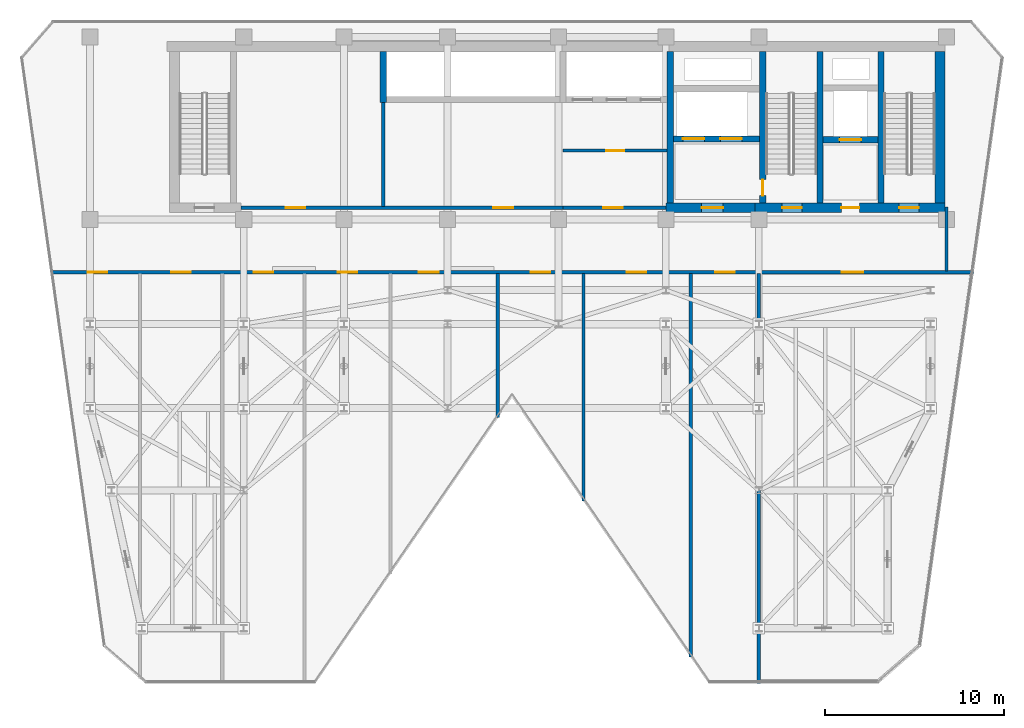
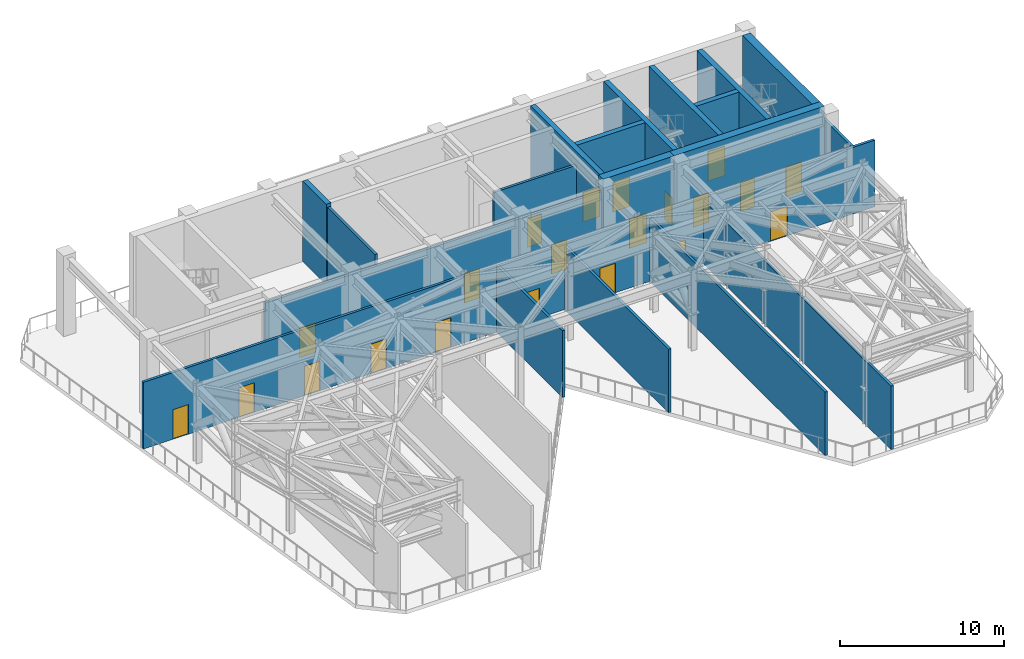
# One storey, part 4 of 12: 21 doors, 20 walls, 21 openings.
"""IFC4 building model written with IfcOpenShell, lengths in metres."""

from ifc_helpers import new_model, si_unit, direction, frame, frame_2d, origin, place, context, subcontext, project, spatial, rectangle, extrude, material, layer, layer_set, type_object, element, fill, save


model = new_model("IFC4")

# Units and contexts
model_context = context("Model", 3, precision=1e-05, world=origin(), true_north=direction((0.0, 1.0)))
body_context = subcontext(model_context, "Body", "Model", "MODEL_VIEW")
ifc_project = project(units=[si_unit("LENGTHUNIT", "METRE"), si_unit("AREAUNIT", "SQUARE_METRE"), si_unit("VOLUMEUNIT", "CUBIC_METRE"), si_unit("PLANEANGLEUNIT", "RADIAN"), si_unit("MASSUNIT", "GRAM", prefix="KILO")], contexts=[model_context])

# Site, building, storey
site_placement = place(None, origin())
site = spatial("IfcSite", under=ifc_project, at=site_placement, CompositionType="ELEMENT")
building_placement = place(site_placement, origin())
building = spatial("IfcBuilding", under=site, at=building_placement, Name="Kravanh Interchange Tower", CompositionType="ELEMENT")
storey_placement = place(building_placement, frame((0.0, 0.0, 225.0)))
storey = spatial("IfcBuildingStorey", under=building, at=storey_placement, Name="L54", CompositionType="ELEMENT", Elevation=225.0)

# Walls
ifc_material_1 = material(Name="Concrete C60/75", Category="concrete")
ifc_layer_1 = layer(ifc_material_1, 0.35009765625)
ifc_layer_set_1 = layer_set([ifc_layer_1], Name="Core Shear Wall Concrete C60/75 350mm")
wall_type_1 = type_object("IfcWallType", Name="Core Shear Wall Concrete C60/75 350mm", PredefinedType="SHEAR", material=ifc_layer_set_1)
for number, where, z_axis, x_axis, name in (
    (1, (62.824951171875, 38.27490234375, 0.0), (0.0, 0.0, 1.0), (0.0, 1.0, 0.0), "L54 Stair ST1 West Shear Wall"),
    (2, (59.425048828125, 38.27490234375, 0.0), (0.0, 0.0, 1.0), (0.0, 1.0, 0.0), "L54 Stair ST2 East Shear Wall"),
):
    element("IfcWall", number, at=place(storey_placement, frame(where, z_axis=z_axis, x_axis=x_axis)), inside=storey, type_object=wall_type_1, Name=name, PredefinedType="SHEAR", context=body_context, shape_type="SweptSolid", body=[
        extrude(rectangle(XDim=8.47509765625, YDim=0.35009765625, at=frame_2d((4.237548828125, 0.0))), origin(), (0.0, 0.0, 1.0), 6.0),
    ])

# Wall, opening, door
wall_1_placement = place(storey_placement, frame((56.22509765625, 38.27490234375, 0.0), z_axis=(0.0, 0.0, 1.0), x_axis=(0.0, 1.0, 0.0)))
wall_1 = element("IfcWall", 3, at=wall_1_placement, inside=storey, type_object=wall_type_1, Name="L54 Stair ST2 West Shear Wall", PredefinedType="SHEAR", context=body_context, shape_type="SweptSolid", body=[
    extrude(rectangle(XDim=8.47509765625, YDim=0.35009765625, at=frame_2d((4.237548828125, 0.0))), origin(), (0.0, 0.0, 1.0), 6.0),
])
opening_1_placement = place(wall_1_placement, frame((0.405029296875, 0.0, 0.0)))
opening_1 = element("IfcOpeningElement", 4, at=opening_1_placement, cuts=wall_1, Name="Opening D-STAIR-90", PredefinedType="OPENING", context=body_context, shape_type="SweptSolid", body=[
    extrude(rectangle(XDim=0.89990234375, YDim=2.14990234375, at=frame_2d((0.449951171875, 1.074951171875))), frame((0.0, 0.18505859375, 0.0), z_axis=(0.0, -1.0, 0.0), x_axis=(1.0, 0.0, 0.0)), (0.0, 0.0, 1.0), 0.3701171875),
])
ifc_material_2 = material(Name="Structural Steel S355", Category="steel")
door_type_1 = type_object("IfcDoorType", Name="Fire-Rated Stair Lobby Door 900x2150", OperationType="NOTDEFINED", PredefinedType="DOOR", material=ifc_material_2)
door_1_placement = place(opening_1_placement, origin())
door_1 = element("IfcDoor", 5, at=door_1_placement, inside=storey, type_object=door_type_1, Name="L54 Firefighting Lobby to Stair ST2 Door", OperationType="SINGLE_SWING_LEFT", OverallHeight=2.14990234375, OverallWidth=0.89990234375, PredefinedType="DOOR", context=body_context, shape_type="SweptSolid", body=[
    extrude(rectangle(XDim=0.89990234375, YDim=2.14990234375, at=frame_2d((0.449951171875, 1.074951171875))), frame((0.0, 0.02490234375, 0.0), z_axis=(0.0, -1.0, 0.0), x_axis=(1.0, 0.0, 0.0)), (0.0, 0.0, 1.0), 0.050048828125),
])
fill(opening_1, door_1)

wall_2_placement = place(storey_placement, frame((59.60009765625, 41.800048828125, 0.0), z_axis=(0.0, 0.0, 1.0), x_axis=(1.0, 0.0, 0.0)))
wall_2 = element("IfcWall", 6, at=wall_2_placement, inside=storey, type_object=wall_type_1, Name="L54 Service Lift Shaft South Wall", PredefinedType="SHEAR", context=body_context, shape_type="SweptSolid", body=[
    extrude(rectangle(XDim=3.0498046875, YDim=0.35009765625, at=frame_2d((1.52490234375, 0.0))), origin(), (0.0, 0.0, 1.0), 6.0),
])
opening_2_placement = place(wall_2_placement, frame((0.919921875, 0.0, 0.0)))
opening_2 = element("IfcOpeningElement", 7, at=opening_2_placement, cuts=wall_2, Name="Opening LD02", PredefinedType="OPENING", context=body_context, shape_type="SweptSolid", body=[
    extrude(rectangle(XDim=1.199951171875, YDim=2.199951171875, at=frame_2d((0.60009765625, 1.10009765625))), frame((0.0, 0.18505859375, 0.0), z_axis=(0.0, -1.0, 0.0), x_axis=(1.0, 0.0, 0.0)), (0.0, 0.0, 1.0), 0.3701171875),
])
ifc_material_3 = material(Name="Stainless Steel 316", Category="steel")
door_type_2 = type_object("IfcDoorType", Name="Fire and Service Lift Sliding Landing Door 1200x2200", OperationType="DOUBLE_DOOR_SLIDING", PredefinedType="DOOR", material=ifc_material_3)
door_2_placement = place(opening_2_placement, origin())
door_2 = element("IfcDoor", 8, at=door_2_placement, inside=storey, type_object=door_type_2, Name="L54 Lift LS-01 Landing Door", OperationType="DOUBLE_DOOR_SLIDING", OverallHeight=2.199951171875, OverallWidth=1.199951171875, PredefinedType="DOOR", context=body_context, shape_type="SweptSolid", body=[
    extrude(rectangle(XDim=1.199951171875, YDim=2.199951171875, at=frame_2d((0.60009765625, 1.10009765625))), frame((0.0, 0.02490234375, 0.0), z_axis=(0.0, -1.0, 0.0), x_axis=(1.0, 0.0, 0.0)), (0.0, 0.0, 1.0), 0.050048828125),
])
fill(opening_2, door_2)

# Wall, openings, doors
wall_3_placement = place(storey_placement, frame((51.22509765625, 41.85009765625, 0.0), z_axis=(0.0, 0.0, 1.0), x_axis=(1.0, 0.0, 0.0)))
wall_3 = element("IfcWall", 9, at=wall_3_placement, inside=storey, type_object=wall_type_1, Name="L54 Fire Lift Shaft South Wall", PredefinedType="SHEAR", context=body_context, shape_type="SweptSolid", body=[
    extrude(rectangle(XDim=4.824951171875, YDim=0.35009765625, at=frame_2d((2.41259765625, 0.0))), origin(), (0.0, 0.0, 1.0), 6.0),
])
opening_3_placement = place(wall_3_placement, frame((0.52490234375, 0.0, 0.0)))
opening_3 = element("IfcOpeningElement", 10, at=opening_3_placement, cuts=wall_3, Name="Opening LD02", PredefinedType="OPENING", context=body_context, shape_type="SweptSolid", body=[
    extrude(rectangle(XDim=1.199951171875, YDim=2.199951171875, at=frame_2d((0.60009765625, 1.10009765625))), frame((0.0, 0.18505859375, 0.0), z_axis=(0.0, -1.0, 0.0), x_axis=(1.0, 0.0, 0.0)), (0.0, 0.0, 1.0), 0.3701171875),
])
opening_4_placement = place(wall_3_placement, frame((2.625, 0.0, 0.0)))
opening_4 = element("IfcOpeningElement", 11, at=opening_4_placement, cuts=wall_3, Name="Opening LD02", PredefinedType="OPENING", context=body_context, shape_type="SweptSolid", body=[
    extrude(rectangle(XDim=1.199951171875, YDim=2.199951171875, at=frame_2d((0.60009765625, 1.10009765625))), frame((0.0, 0.18505859375, 0.0), z_axis=(0.0, -1.0, 0.0), x_axis=(1.0, 0.0, 0.0)), (0.0, 0.0, 1.0), 0.3701171875),
])
door_3_placement = place(opening_3_placement, origin())
door_3 = element("IfcDoor", 12, at=door_3_placement, inside=storey, type_object=door_type_2, Name="L54 Lift FSAE-01 Landing Door", OperationType="DOUBLE_DOOR_SLIDING", OverallHeight=2.199951171875, OverallWidth=1.199951171875, PredefinedType="DOOR", context=body_context, shape_type="SweptSolid", body=[
    extrude(rectangle(XDim=1.199951171875, YDim=2.199951171875, at=frame_2d((0.60009765625, 1.10009765625))), frame((0.0, 0.02490234375, 0.0), z_axis=(0.0, -1.0, 0.0), x_axis=(1.0, 0.0, 0.0)), (0.0, 0.0, 1.0), 0.050048828125),
])
fill(opening_3, door_3)
door_4_placement = place(opening_4_placement, origin())
door_4 = element("IfcDoor", 13, at=door_4_placement, inside=storey, type_object=door_type_2, Name="L54 Lift FSAE-02 Landing Door", OperationType="DOUBLE_DOOR_SLIDING", OverallHeight=2.199951171875, OverallWidth=1.199951171875, PredefinedType="DOOR", context=body_context, shape_type="SweptSolid", body=[
    extrude(rectangle(XDim=1.199951171875, YDim=2.199951171875, at=frame_2d((0.60009765625, 1.10009765625))), frame((0.0, 0.02490234375, 0.0), z_axis=(0.0, -1.0, 0.0), x_axis=(1.0, 0.0, 0.0)), (0.0, 0.0, 1.0), 0.050048828125),
])
fill(opening_4, door_4)

# Walls
wall_4_placement = place(storey_placement, frame((51.050048828125, 38.27490234375, 0.0), z_axis=(0.0, 0.0, 1.0), x_axis=(0.0, 1.0, 0.0)))
element("IfcWall", 14, at=wall_4_placement, inside=storey, type_object=wall_type_1, Name="L54 Firefighting Lobby West Wall", PredefinedType="SHEAR", context=body_context, shape_type="SweptSolid", body=[
    extrude(rectangle(XDim=8.47509765625, YDim=0.35009765625, at=frame_2d((4.237548828125, 0.0))), origin(), (0.0, 0.0, 1.0), 6.0),
])
wall_5_placement = place(storey_placement, frame((35.0, 43.875, 0.0), z_axis=(0.0, 0.0, 1.0), x_axis=(0.0, 1.0, 0.0)))
element("IfcWall", 15, at=wall_5_placement, inside=storey, type_object=wall_type_1, Name="L54 Mid-Rise Lift Shaft West Wall", PredefinedType="SHEAR", context=body_context, shape_type="SweptSolid", body=[
    extrude(rectangle(XDim=2.875, YDim=0.35009765625, at=frame_2d((1.4375, 0.0))), origin(), (0.0, 0.0, 1.0), 6.0),
])

# Wall, openings, doors
ifc_material_4 = material(Name="Concrete C70/85", Category="concrete")
ifc_layer_2 = layer(ifc_material_4, 0.550048828125)
ifc_layer_set_2 = layer_set([ifc_layer_2], Name="Core Shear Wall Concrete C70/85 550mm")
wall_type_2 = type_object("IfcWallType", Name="Core Shear Wall Concrete C70/85 550mm", PredefinedType="SHEAR", material=ifc_layer_set_2)
wall_6_placement = place(storey_placement, frame((55.800048828125, 38.0, 0.0), z_axis=(0.0, 0.0, 1.0), x_axis=(1.0, 0.0, 0.0)))
wall_6 = element("IfcWall", 16, at=wall_6_placement, inside=storey, type_object=wall_type_2, Name="L54 East Core South Shear Wall", PredefinedType="SHEAR", context=body_context, shape_type="SweptSolid", body=[
    extrude(rectangle(XDim=10.599853515625, YDim=0.550048828125, at=frame_2d((5.2998046875, 0.0))), origin(), (0.0, 0.0, 1.0), 6.0),
])
opening_5_placement = place(wall_6_placement, frame((1.5, 0.0, 0.0)))
opening_5 = element("IfcOpeningElement", 17, at=opening_5_placement, cuts=wall_6, Name="Opening D-STAIR-110", PredefinedType="OPENING", context=body_context, shape_type="SweptSolid", body=[
    extrude(rectangle(XDim=1.10009765625, YDim=2.199951171875, at=frame_2d((0.550048828125, 1.10009765625))), frame((0.0, 0.28515625, 0.0), z_axis=(0.0, -1.0, 0.0), x_axis=(1.0, 0.0, 0.0)), (0.0, 0.0, 1.0), 0.570068359375),
])
opening_6_placement = place(wall_6_placement, frame((4.820068359375, 0.0, 0.0)))
opening_6 = element("IfcOpeningElement", 18, at=opening_6_placement, cuts=wall_6, Name="Opening D-HOTEL-100", PredefinedType="OPENING", context=body_context, shape_type="SweptSolid", body=[
    extrude(rectangle(XDim=1.0, YDim=2.14990234375, at=frame_2d((0.5, 1.074951171875))), frame((0.0, 0.28515625, 0.0), z_axis=(0.0, -1.0, 0.0), x_axis=(1.0, 0.0, 0.0)), (0.0, 0.0, 1.0), 0.570068359375),
])
opening_7_placement = place(wall_6_placement, frame((8.050048828125, 0.0, 0.0)))
opening_7 = element("IfcOpeningElement", 19, at=opening_7_placement, cuts=wall_6, Name="Opening D-STAIR-110", PredefinedType="OPENING", context=body_context, shape_type="SweptSolid", body=[
    extrude(rectangle(XDim=1.10009765625, YDim=2.199951171875, at=frame_2d((0.550048828125, 1.10009765625))), frame((0.0, 0.28515625, 0.0), z_axis=(0.0, -1.0, 0.0), x_axis=(1.0, 0.0, 0.0)), (0.0, 0.0, 1.0), 0.570068359375),
])
ifc_material_5 = material(Name="Structural Steel S355", Category="steel")
door_type_3 = type_object("IfcDoorType", Name="Fire-Rated Exit Stair Door 1100x2200", OperationType="NOTDEFINED", PredefinedType="DOOR", material=ifc_material_5)
door_5_placement = place(opening_5_placement, origin())
door_5 = element("IfcDoor", 20, at=door_5_placement, inside=storey, type_object=door_type_3, Name="L54 Exit Stair ST2 Door", OperationType="SINGLE_SWING_RIGHT", OverallHeight=2.199951171875, OverallWidth=1.10009765625, PredefinedType="DOOR", context=body_context, shape_type="SweptSolid", body=[
    extrude(rectangle(XDim=1.10009765625, YDim=2.199951171875, at=frame_2d((0.550048828125, 1.10009765625))), frame((0.0, 0.02490234375, 0.0), z_axis=(0.0, -1.0, 0.0), x_axis=(1.0, 0.0, 0.0)), (0.0, 0.0, 1.0), 0.050048828125),
])
fill(opening_5, door_5)
door_6_placement = place(opening_7_placement, origin())
door_6 = element("IfcDoor", 21, at=door_6_placement, inside=storey, type_object=door_type_3, Name="L54 Exit Stair ST1 Door", OperationType="SINGLE_SWING_RIGHT", OverallHeight=2.199951171875, OverallWidth=1.10009765625, PredefinedType="DOOR", context=body_context, shape_type="SweptSolid", body=[
    extrude(rectangle(XDim=1.10009765625, YDim=2.199951171875, at=frame_2d((0.550048828125, 1.10009765625))), frame((0.0, 0.02490234375, 0.0), z_axis=(0.0, -1.0, 0.0), x_axis=(1.0, 0.0, 0.0)), (0.0, 0.0, 1.0), 0.050048828125),
])
fill(opening_7, door_6)
ifc_material_6 = material(Name="Fire-Rated Solid Timber Leaf", Category="wood")
door_type_4 = type_object("IfcDoorType", Name="Fire-Rated Suite Entrance Door 1000x2150", OperationType="NOTDEFINED", PredefinedType="DOOR", material=ifc_material_6)
door_7_placement = place(opening_6_placement, origin())
door_7 = element("IfcDoor", 22, at=door_7_placement, inside=storey, type_object=door_type_4, Name="L54 Service Lift Lobby Door", OperationType="SINGLE_SWING_RIGHT", OverallHeight=2.14990234375, OverallWidth=1.0, PredefinedType="DOOR", context=body_context, shape_type="SweptSolid", body=[
    extrude(rectangle(XDim=1.0, YDim=2.14990234375, at=frame_2d((0.5, 1.074951171875))), frame((0.0, 0.02490234375, 0.0), z_axis=(0.0, -1.0, 0.0), x_axis=(1.0, 0.0, 0.0)), (0.0, 0.0, 1.0), 0.050048828125),
])
fill(opening_6, door_7)

# Wall
wall_7_placement = place(storey_placement, frame((66.125, 38.27490234375, 0.0), z_axis=(0.0, 0.0, 1.0), x_axis=(0.0, 1.0, 0.0)))
element("IfcWall", 23, at=wall_7_placement, inside=storey, type_object=wall_type_2, Name="L54 Stair ST1 East Shear Wall", PredefinedType="SHEAR", context=body_context, shape_type="SweptSolid", body=[
    extrude(rectangle(XDim=8.47509765625, YDim=0.550048828125, at=frame_2d((4.237548828125, 0.0))), origin(), (0.0, 0.0, 1.0), 6.0),
])

# Wall, opening, door
wall_8_placement = place(storey_placement, frame((50.800048828125, 38.0, 0.0), z_axis=(0.0, 0.0, 1.0), x_axis=(1.0, 0.0, 0.0)))
wall_8 = element("IfcWall", 24, at=wall_8_placement, inside=storey, type_object=wall_type_2, Name="L54 Firefighting Lobby South Shear Wall", PredefinedType="SHEAR", context=body_context, shape_type="SweptSolid", body=[
    extrude(rectangle(XDim=5.0, YDim=0.550048828125, at=frame_2d((2.5, 0.0))), origin(), (0.0, 0.0, 1.0), 6.0),
])
opening_8_placement = place(wall_8_placement, frame((2.0, 0.0, 0.0)))
opening_8 = element("IfcOpeningElement", 25, at=opening_8_placement, cuts=wall_8, Name="Opening D-FSAE-120", PredefinedType="OPENING", context=body_context, shape_type="SweptSolid", body=[
    extrude(rectangle(XDim=1.199951171875, YDim=2.199951171875, at=frame_2d((0.60009765625, 1.10009765625))), frame((0.0, 0.28515625, 0.0), z_axis=(0.0, -1.0, 0.0), x_axis=(1.0, 0.0, 0.0)), (0.0, 0.0, 1.0), 0.570068359375),
])
ifc_material_7 = material(Name="Structural Steel S355", Category="steel")
door_type_5 = type_object("IfcDoorType", Name="Fire-Rated Refuge and FSAE Door 1200x2200", OperationType="NOTDEFINED", PredefinedType="DOOR", material=ifc_material_7)
door_8_placement = place(opening_8_placement, origin())
door_8 = element("IfcDoor", 26, at=door_8_placement, inside=storey, type_object=door_type_5, Name="L54 Firefighting Lobby Corridor Door", OperationType="SINGLE_SWING_RIGHT", OverallHeight=2.199951171875, OverallWidth=1.199951171875, PredefinedType="DOOR", context=body_context, shape_type="SweptSolid", body=[
    extrude(rectangle(XDim=1.199951171875, YDim=2.199951171875, at=frame_2d((0.60009765625, 1.10009765625))), frame((0.0, 0.02490234375, 0.0), z_axis=(0.0, -1.0, 0.0), x_axis=(1.0, 0.0, 0.0)), (0.0, 0.0, 1.0), 0.050048828125),
])
fill(opening_8, door_8)

ifc_material_8 = material(Name="Autoclaved Aerated Concrete C30/37 Blockwork", Category="masonry")
ifc_layer_3 = layer(ifc_material_8, 0.179931640625)
ifc_layer_set_3 = layer_set([ifc_layer_3], Name="Fire-Rated Lobby and Corridor Wall Concrete C30/37 180mm")
wall_type_3 = type_object("IfcWallType", Name="Fire-Rated Lobby and Corridor Wall Concrete C30/37 180mm", PredefinedType="STANDARD", material=ifc_layer_set_3)
wall_9_placement = place(storey_placement, frame((45.050048828125, 38.0, 0.0), z_axis=(0.0, 0.0, 1.0), x_axis=(1.0, 0.0, 0.0)))
wall_9 = element("IfcWall", 27, at=wall_9_placement, inside=storey, type_object=wall_type_3, Name="L54 Core South Enclosure 1", PredefinedType="STANDARD", context=body_context, shape_type="SweptSolid", body=[
    extrude(rectangle(XDim=5.75, YDim=0.179931640625, at=frame_2d((2.875, 0.0))), origin(), (0.0, 0.0, 1.0), 4.97705078125),
])
opening_9_placement = place(wall_9_placement, frame((2.240478515625, 0.0, 0.0)))
opening_9 = element("IfcOpeningElement", 28, at=opening_9_placement, cuts=wall_9, Name="Opening D-SHAFT-110", PredefinedType="OPENING", context=body_context, shape_type="SweptSolid", body=[
    extrude(rectangle(XDim=1.10009765625, YDim=2.199951171875, at=frame_2d((0.550048828125, 1.10009765625))), frame((0.0, 0.10009765625, 0.0), z_axis=(0.0, -1.0, 0.0), x_axis=(1.0, 0.0, 0.0)), (0.0, 0.0, 1.0), 0.199951171875),
])
ifc_material_9 = material(Name="Fire-Rated Composite Timber Leaf", Category="wood")
door_type_6 = type_object("IfcDoorType", Name="Fire-Rated Core Support Door 1100x2200", OperationType="NOTDEFINED", PredefinedType="DOOR", material=ifc_material_9)
door_9_placement = place(opening_9_placement, origin())
door_9 = element("IfcDoor", 29, at=door_9_placement, inside=storey, type_object=door_type_6, Name="L54 Core Telecom Room Door", OperationType="SINGLE_SWING_LEFT", OverallHeight=2.199951171875, OverallWidth=1.10009765625, PredefinedType="DOOR", context=body_context, shape_type="SweptSolid", body=[
    extrude(rectangle(XDim=1.10009765625, YDim=2.199951171875, at=frame_2d((0.550048828125, 1.10009765625))), frame((0.0, 0.02490234375, 0.0), z_axis=(0.0, -1.0, 0.0), x_axis=(1.0, 0.0, 0.0)), (0.0, 0.0, 1.0), 0.050048828125),
])
fill(opening_9, door_9)

wall_10_placement = place(storey_placement, frame((45.050048828125, 41.199951171875, 0.0), z_axis=(0.0, 0.0, 1.0), x_axis=(1.0, 0.0, 0.0)))
wall_10 = element("IfcWall", 30, at=wall_10_placement, inside=storey, type_object=wall_type_3, Name="L54 Interior Partition 2", PredefinedType="STANDARD", context=body_context, shape_type="SweptSolid", body=[
    extrude(rectangle(XDim=5.81689453125, YDim=0.179931640625, at=frame_2d((2.908447265625, 0.0))), origin(), (0.0, 0.0, 1.0), 4.97705078125),
])
opening_10_placement = place(wall_10_placement, frame((2.425048828125, 0.0, 0.0)))
opening_10 = element("IfcOpeningElement", 31, at=opening_10_placement, cuts=wall_10, Name="Opening D-HOTEL-100", PredefinedType="OPENING", context=body_context, shape_type="SweptSolid", body=[
    extrude(rectangle(XDim=1.0, YDim=2.14990234375, at=frame_2d((0.5, 1.074951171875))), frame((0.0, 0.10009765625, 0.0), z_axis=(0.0, -1.0, 0.0), x_axis=(1.0, 0.0, 0.0)), (0.0, 0.0, 1.0), 0.199951171875),
])
door_10_placement = place(opening_10_placement, origin())
door_10 = element("IfcDoor", 32, at=door_10_placement, inside=storey, type_object=door_type_4, Name="L54 Core Telecom Inner Door", OperationType="SINGLE_SWING_RIGHT", OverallHeight=2.14990234375, OverallWidth=1.0, PredefinedType="DOOR", context=body_context, shape_type="SweptSolid", body=[
    extrude(rectangle(XDim=1.0, YDim=2.14990234375, at=frame_2d((0.5, 1.074951171875))), frame((0.0, 0.02490234375, 0.0), z_axis=(0.0, -1.0, 0.0), x_axis=(1.0, 0.0, 0.0)), (0.0, 0.0, 1.0), 0.050048828125),
])
fill(opening_10, door_10)

# Wall, openings, doors
wall_11_placement = place(storey_placement, frame((27.050048828125, 38.0, 0.0), z_axis=(0.0, 0.0, 1.0), x_axis=(1.0, 0.0, 0.0)))
wall_11 = element("IfcWall", 33, at=wall_11_placement, inside=storey, type_object=wall_type_3, Name="L54 Interior Partition 3", PredefinedType="STANDARD", context=body_context, shape_type="SweptSolid", body=[
    extrude(rectangle(XDim=18.0, YDim=0.179931640625, at=frame_2d((9.0, 0.0))), origin(), (0.0, 0.0, 1.0), 4.97705078125),
])
opening_11_placement = place(wall_11_placement, frame((2.4921875, 0.0, 0.0)))
opening_11 = element("IfcOpeningElement", 34, at=opening_11_placement, cuts=wall_11, Name="Opening D-STAIR-110", PredefinedType="OPENING", context=body_context, shape_type="SweptSolid", body=[
    extrude(rectangle(XDim=1.10009765625, YDim=2.199951171875, at=frame_2d((0.550048828125, 1.10009765625))), frame((0.0, 0.10009765625, 0.0), z_axis=(0.0, -1.0, 0.0), x_axis=(1.0, 0.0, 0.0)), (0.0, 0.0, 1.0), 0.199951171875),
])
opening_12_placement = place(wall_11_placement, frame((14.109375, 0.0, 0.0)))
opening_12 = element("IfcOpeningElement", 35, at=opening_12_placement, cuts=wall_11, Name="Opening D-STAIR-110", PredefinedType="OPENING", context=body_context, shape_type="SweptSolid", body=[
    extrude(rectangle(XDim=1.10009765625, YDim=2.199951171875, at=frame_2d((0.550048828125, 1.10009765625))), frame((0.0, 0.10009765625, 0.0), z_axis=(0.0, -1.0, 0.0), x_axis=(1.0, 0.0, 0.0)), (0.0, 0.0, 1.0), 0.199951171875),
])
door_11_placement = place(opening_11_placement, origin())
door_11 = element("IfcDoor", 36, at=door_11_placement, inside=storey, type_object=door_type_3, Name="L54 Pressurization Fan Room Door", OperationType="SINGLE_SWING_RIGHT", OverallHeight=2.199951171875, OverallWidth=1.10009765625, PredefinedType="DOOR", context=body_context, shape_type="SweptSolid", body=[
    extrude(rectangle(XDim=1.10009765625, YDim=2.199951171875, at=frame_2d((0.550048828125, 1.10009765625))), frame((0.0, 0.02490234375, 0.0), z_axis=(0.0, -1.0, 0.0), x_axis=(1.0, 0.0, 0.0)), (0.0, 0.0, 1.0), 0.050048828125),
])
fill(opening_11, door_11)
door_12_placement = place(opening_12_placement, origin())
door_12 = element("IfcDoor", 37, at=door_12_placement, inside=storey, type_object=door_type_3, Name="L54 Lift Motor Control Door", OperationType="SINGLE_SWING_LEFT", OverallHeight=2.199951171875, OverallWidth=1.10009765625, PredefinedType="DOOR", context=body_context, shape_type="SweptSolid", body=[
    extrude(rectangle(XDim=1.10009765625, YDim=2.199951171875, at=frame_2d((0.550048828125, 1.10009765625))), frame((0.0, 0.02490234375, 0.0), z_axis=(0.0, -1.0, 0.0), x_axis=(1.0, 0.0, 0.0)), (0.0, 0.0, 1.0), 0.050048828125),
])
fill(opening_12, door_12)

# Wall
wall_12_placement = place(storey_placement, frame((35.0, 38.068115234375, 0.0), z_axis=(0.0, 0.0, 1.0), x_axis=(0.0, 1.0, 0.0)))
element("IfcWall", 38, at=wall_12_placement, inside=storey, type_object=wall_type_3, Name="L54 Interior Partition 4", PredefinedType="STANDARD", context=body_context, shape_type="SweptSolid", body=[
    extrude(rectangle(XDim=5.806884765625, YDim=0.179931640625, at=frame_2d((2.9033203125, 0.0))), origin(), (0.0, 0.0, 1.0), 5.75),
])

# Wall, openings, doors
wall_13_placement = place(storey_placement, frame((16.396728515625, 34.39990234375, 0.0), z_axis=(0.0, 0.0, 1.0), x_axis=(1.0, 0.0, 0.0)))
wall_13 = element("IfcWall", 39, at=wall_13_placement, inside=storey, type_object=wall_type_3, Name="L54 Interior Partition 5", PredefinedType="STANDARD", context=body_context, shape_type="SweptSolid", body=[
    extrude(rectangle(XDim=51.6064453125, YDim=0.179931640625, at=frame_2d((25.80322265625, 0.0))), origin(), (0.0, 0.0, 1.0), 4.97705078125),
])
opening_13_placement = place(wall_13_placement, frame((44.253173828125, 0.0, 0.0)))
opening_13 = element("IfcOpeningElement", 40, at=opening_13_placement, cuts=wall_13, Name="Opening D-FSAE-120", PredefinedType="OPENING", context=body_context, shape_type="SweptSolid", body=[
    extrude(rectangle(XDim=1.199951171875, YDim=2.199951171875, at=frame_2d((0.60009765625, 1.10009765625))), frame((0.0, 0.10009765625, 0.0), z_axis=(0.0, -1.0, 0.0), x_axis=(1.0, 0.0, 0.0)), (0.0, 0.0, 1.0), 0.199951171875),
])
opening_14_placement = place(wall_13_placement, frame((2.078369140625, 0.0, 0.0)))
opening_14 = element("IfcOpeningElement", 41, at=opening_14_placement, cuts=wall_13, Name="Opening D-STAIR-110", PredefinedType="OPENING", context=body_context, shape_type="SweptSolid", body=[
    extrude(rectangle(XDim=1.10009765625, YDim=2.199951171875, at=frame_2d((0.550048828125, 1.10009765625))), frame((0.0, 0.10009765625, 0.0), z_axis=(0.0, -1.0, 0.0), x_axis=(1.0, 0.0, 0.0)), (0.0, 0.0, 1.0), 0.199951171875),
])
opening_15_placement = place(wall_13_placement, frame((6.753173828125, 0.0, 0.0)))
opening_15 = element("IfcOpeningElement", 42, at=opening_15_placement, cuts=wall_13, Name="Opening D-STAIR-110", PredefinedType="OPENING", context=body_context, shape_type="SweptSolid", body=[
    extrude(rectangle(XDim=1.10009765625, YDim=2.199951171875, at=frame_2d((0.550048828125, 1.10009765625))), frame((0.0, 0.10009765625, 0.0), z_axis=(0.0, -1.0, 0.0), x_axis=(1.0, 0.0, 0.0)), (0.0, 0.0, 1.0), 0.199951171875),
])
opening_16_placement = place(wall_13_placement, frame((11.353271484375, 0.0, 0.0)))
opening_16 = element("IfcOpeningElement", 43, at=opening_16_placement, cuts=wall_13, Name="Opening D-STAIR-110", PredefinedType="OPENING", context=body_context, shape_type="SweptSolid", body=[
    extrude(rectangle(XDim=1.10009765625, YDim=2.199951171875, at=frame_2d((0.550048828125, 1.10009765625))), frame((0.0, 0.10009765625, 0.0), z_axis=(0.0, -1.0, 0.0), x_axis=(1.0, 0.0, 0.0)), (0.0, 0.0, 1.0), 0.199951171875),
])
opening_17_placement = place(wall_13_placement, frame((16.05322265625, 0.0, 0.0)))
opening_17 = element("IfcOpeningElement", 44, at=opening_17_placement, cuts=wall_13, Name="Opening D-STAIR-110", PredefinedType="OPENING", context=body_context, shape_type="SweptSolid", body=[
    extrude(rectangle(XDim=1.10009765625, YDim=2.199951171875, at=frame_2d((0.550048828125, 1.10009765625))), frame((0.0, 0.10009765625, 0.0), z_axis=(0.0, -1.0, 0.0), x_axis=(1.0, 0.0, 0.0)), (0.0, 0.0, 1.0), 0.199951171875),
])
opening_18_placement = place(wall_13_placement, frame((20.601318359375, 0.0, 0.0)))
opening_18 = element("IfcOpeningElement", 45, at=opening_18_placement, cuts=wall_13, Name="Opening D-STAIR-110", PredefinedType="OPENING", context=body_context, shape_type="SweptSolid", body=[
    extrude(rectangle(XDim=1.10009765625, YDim=2.199951171875, at=frame_2d((0.550048828125, 1.10009765625))), frame((0.0, 0.10009765625, 0.0), z_axis=(0.0, -1.0, 0.0), x_axis=(1.0, 0.0, 0.0)), (0.0, 0.0, 1.0), 0.199951171875),
])
opening_19_placement = place(wall_13_placement, frame((26.853271484375, 0.0, 0.0)))
opening_19 = element("IfcOpeningElement", 46, at=opening_19_placement, cuts=wall_13, Name="Opening D-STAIR-110", PredefinedType="OPENING", context=body_context, shape_type="SweptSolid", body=[
    extrude(rectangle(XDim=1.10009765625, YDim=2.199951171875, at=frame_2d((0.550048828125, 1.10009765625))), frame((0.0, 0.10009765625, 0.0), z_axis=(0.0, -1.0, 0.0), x_axis=(1.0, 0.0, 0.0)), (0.0, 0.0, 1.0), 0.199951171875),
])
opening_20_placement = place(wall_13_placement, frame((32.212646484375, 0.0, 0.0)))
opening_20 = element("IfcOpeningElement", 47, at=opening_20_placement, cuts=wall_13, Name="Opening D-STAIR-110", PredefinedType="OPENING", context=body_context, shape_type="SweptSolid", body=[
    extrude(rectangle(XDim=1.10009765625, YDim=2.199951171875, at=frame_2d((0.550048828125, 1.10009765625))), frame((0.0, 0.10009765625, 0.0), z_axis=(0.0, -1.0, 0.0), x_axis=(1.0, 0.0, 0.0)), (0.0, 0.0, 1.0), 0.199951171875),
])
opening_21_placement = place(wall_13_placement, frame((37.1533203125, 0.0, 0.0)))
opening_21 = element("IfcOpeningElement", 48, at=opening_21_placement, cuts=wall_13, Name="Opening D-STAIR-110", PredefinedType="OPENING", context=body_context, shape_type="SweptSolid", body=[
    extrude(rectangle(XDim=1.10009765625, YDim=2.199951171875, at=frame_2d((0.550048828125, 1.10009765625))), frame((0.0, 0.10009765625, 0.0), z_axis=(0.0, -1.0, 0.0), x_axis=(1.0, 0.0, 0.0)), (0.0, 0.0, 1.0), 0.199951171875),
])
door_13_placement = place(opening_14_placement, origin())
door_13 = element("IfcDoor", 49, at=door_13_placement, inside=storey, type_object=door_type_3, Name="L54 Chiller Heat Exchanger Plant Room Door", OperationType="SINGLE_SWING_LEFT", OverallHeight=2.199951171875, OverallWidth=1.10009765625, PredefinedType="DOOR", context=body_context, shape_type="SweptSolid", body=[
    extrude(rectangle(XDim=1.10009765625, YDim=2.199951171875, at=frame_2d((0.550048828125, 1.10009765625))), frame((0.0, 0.02490234375, 0.0), z_axis=(0.0, -1.0, 0.0), x_axis=(1.0, 0.0, 0.0)), (0.0, 0.0, 1.0), 0.050048828125),
])
fill(opening_14, door_13)
door_14_placement = place(opening_15_placement, origin())
door_14 = element("IfcDoor", 50, at=door_14_placement, inside=storey, type_object=door_type_3, Name="L54 Primary AHU Plant Room Door", OperationType="SINGLE_SWING_RIGHT", OverallHeight=2.199951171875, OverallWidth=1.10009765625, PredefinedType="DOOR", context=body_context, shape_type="SweptSolid", body=[
    extrude(rectangle(XDim=1.10009765625, YDim=2.199951171875, at=frame_2d((0.550048828125, 1.10009765625))), frame((0.0, 0.02490234375, 0.0), z_axis=(0.0, -1.0, 0.0), x_axis=(1.0, 0.0, 0.0)), (0.0, 0.0, 1.0), 0.050048828125),
])
fill(opening_15, door_14)
door_15_placement = place(opening_16_placement, origin())
door_15 = element("IfcDoor", 51, at=door_15_placement, inside=storey, type_object=door_type_3, Name="L54 Secondary AHU Plant Room Door", OperationType="SINGLE_SWING_LEFT", OverallHeight=2.199951171875, OverallWidth=1.10009765625, PredefinedType="DOOR", context=body_context, shape_type="SweptSolid", body=[
    extrude(rectangle(XDim=1.10009765625, YDim=2.199951171875, at=frame_2d((0.550048828125, 1.10009765625))), frame((0.0, 0.02490234375, 0.0), z_axis=(0.0, -1.0, 0.0), x_axis=(1.0, 0.0, 0.0)), (0.0, 0.0, 1.0), 0.050048828125),
])
fill(opening_16, door_15)
door_16_placement = place(opening_17_placement, origin())
door_16 = element("IfcDoor", 52, at=door_16_placement, inside=storey, type_object=door_type_3, Name="L54 Smoke Control Mechanical Plant Room Door", OperationType="SINGLE_SWING_RIGHT", OverallHeight=2.199951171875, OverallWidth=1.10009765625, PredefinedType="DOOR", context=body_context, shape_type="SweptSolid", body=[
    extrude(rectangle(XDim=1.10009765625, YDim=2.199951171875, at=frame_2d((0.550048828125, 1.10009765625))), frame((0.0, 0.02490234375, 0.0), z_axis=(0.0, -1.0, 0.0), x_axis=(1.0, 0.0, 0.0)), (0.0, 0.0, 1.0), 0.050048828125),
])
fill(opening_17, door_16)
door_17_placement = place(opening_18_placement, origin())
door_17 = element("IfcDoor", 53, at=door_17_placement, inside=storey, type_object=door_type_3, Name="L54 HV Electrical Switchroom Door", OperationType="SINGLE_SWING_LEFT", OverallHeight=2.199951171875, OverallWidth=1.10009765625, PredefinedType="DOOR", context=body_context, shape_type="SweptSolid", body=[
    extrude(rectangle(XDim=1.10009765625, YDim=2.199951171875, at=frame_2d((0.550048828125, 1.10009765625))), frame((0.0, 0.02490234375, 0.0), z_axis=(0.0, -1.0, 0.0), x_axis=(1.0, 0.0, 0.0)), (0.0, 0.0, 1.0), 0.050048828125),
])
fill(opening_18, door_17)
door_18_placement = place(opening_19_placement, origin())
door_18 = element("IfcDoor", 54, at=door_18_placement, inside=storey, type_object=door_type_3, Name="L54 Transformer Plant Room Door", OperationType="SINGLE_SWING_RIGHT", OverallHeight=2.199951171875, OverallWidth=1.10009765625, PredefinedType="DOOR", context=body_context, shape_type="SweptSolid", body=[
    extrude(rectangle(XDim=1.10009765625, YDim=2.199951171875, at=frame_2d((0.550048828125, 1.10009765625))), frame((0.0, 0.02490234375, 0.0), z_axis=(0.0, -1.0, 0.0), x_axis=(1.0, 0.0, 0.0)), (0.0, 0.0, 1.0), 0.050048828125),
])
fill(opening_19, door_18)
door_19_placement = place(opening_20_placement, origin())
door_19 = element("IfcDoor", 55, at=door_19_placement, inside=storey, type_object=door_type_3, Name="L54 Emergency Generator Switchroom Door", OperationType="SINGLE_SWING_LEFT", OverallHeight=2.199951171875, OverallWidth=1.10009765625, PredefinedType="DOOR", context=body_context, shape_type="SweptSolid", body=[
    extrude(rectangle(XDim=1.10009765625, YDim=2.199951171875, at=frame_2d((0.550048828125, 1.10009765625))), frame((0.0, 0.02490234375, 0.0), z_axis=(0.0, -1.0, 0.0), x_axis=(1.0, 0.0, 0.0)), (0.0, 0.0, 1.0), 0.050048828125),
])
fill(opening_20, door_19)
door_20_placement = place(opening_21_placement, origin())
door_20 = element("IfcDoor", 56, at=door_20_placement, inside=storey, type_object=door_type_3, Name="L54 Fire Pump Plant Room Door", OperationType="SINGLE_SWING_RIGHT", OverallHeight=2.199951171875, OverallWidth=1.10009765625, PredefinedType="DOOR", context=body_context, shape_type="SweptSolid", body=[
    extrude(rectangle(XDim=1.10009765625, YDim=2.199951171875, at=frame_2d((0.550048828125, 1.10009765625))), frame((0.0, 0.02490234375, 0.0), z_axis=(0.0, -1.0, 0.0), x_axis=(1.0, 0.0, 0.0)), (0.0, 0.0, 1.0), 0.050048828125),
])
fill(opening_21, door_20)
door_21_placement = place(opening_13_placement, origin())
door_21 = element("IfcDoor", 57, at=door_21_placement, inside=storey, type_object=door_type_5, Name="L54 Refuge Holding Area Exit Door", OperationType="SINGLE_SWING_RIGHT", OverallHeight=2.199951171875, OverallWidth=1.199951171875, PredefinedType="DOOR", context=body_context, shape_type="SweptSolid", body=[
    extrude(rectangle(XDim=1.199951171875, YDim=2.199951171875, at=frame_2d((0.60009765625, 1.10009765625))), frame((0.0, 0.02490234375, 0.0), z_axis=(0.0, -1.0, 0.0), x_axis=(1.0, 0.0, 0.0)), (0.0, 0.0, 1.0), 0.050048828125),
])
fill(opening_13, door_21)

# Walls
wall_14_placement = place(storey_placement, frame((66.5, 34.468017578125, 0.0), z_axis=(0.0, 0.0, 1.0), x_axis=(0.0, 1.0, 0.0)))
element("IfcWall", 58, at=wall_14_placement, inside=storey, type_object=wall_type_3, Name="L54 Interior Partition 6", PredefinedType="STANDARD", context=body_context, shape_type="SweptSolid", body=[
    extrude(rectangle(XDim=3.58203125, YDim=0.179931640625, at=frame_2d((1.791015625, 0.0))), origin(), (0.0, 0.0, 1.0), 4.97705078125),
])
wall_15_placement = place(storey_placement, frame((56.0, 11.4150390625, 0.0), z_axis=(0.0, 0.0, 1.0), x_axis=(0.0, 1.0, 0.0)))
element("IfcWall", 59, at=wall_15_placement, inside=storey, type_object=wall_type_3, Name="L54 Interior Partition 7", PredefinedType="STANDARD", context=body_context, shape_type="SweptSolid", body=[
    extrude(rectangle(XDim=22.9169921875, YDim=0.179931640625, at=frame_2d((11.45849609375, 0.0))), origin(), (0.0, 0.0, 1.0), 4.739013671875),
])
wall_16_placement = place(storey_placement, frame((41.39990234375, 26.2626953125, 0.0), z_axis=(0.0, 0.0, 1.0), x_axis=(0.0, 1.0, 0.0)))
element("IfcWall", 60, at=wall_16_placement, inside=storey, type_object=wall_type_3, Name="L54 Interior Partition 12", PredefinedType="STANDARD", context=body_context, shape_type="SweptSolid", body=[
    extrude(rectangle(XDim=8.0693359375, YDim=0.179931640625, at=frame_2d((4.03466796875, 0.0))), origin(), (0.0, 0.0, 1.0), 4.97705078125),
])
wall_17_placement = place(storey_placement, frame((46.199951171875, 21.6083984375, 0.0), z_axis=(0.0, 0.0, 1.0), x_axis=(0.0, 1.0, 0.0)))
element("IfcWall", 61, at=wall_17_placement, inside=storey, type_object=wall_type_3, Name="L54 Interior Partition 13", PredefinedType="STANDARD", context=body_context, shape_type="SweptSolid", body=[
    extrude(rectangle(XDim=12.7236328125, YDim=0.179931640625, at=frame_2d((6.36181640625, 0.0))), origin(), (0.0, 0.0, 1.0), 4.739013671875),
])
wall_18_placement = place(storey_placement, frame((52.199951171875, 12.881103515625, 0.0), z_axis=(0.0, 0.0, 1.0), x_axis=(0.0, 1.0, 0.0)))
element("IfcWall", 62, at=wall_18_placement, inside=storey, type_object=wall_type_3, Name="L54 Interior Partition 14", PredefinedType="STANDARD", context=body_context, shape_type="SweptSolid", body=[
    extrude(rectangle(XDim=21.450927734375, YDim=0.179931640625, at=frame_2d((10.7255859375, 0.0))), origin(), (0.0, 0.0, 1.0), 4.739013671875),
])

save(model, "model.ifc")
